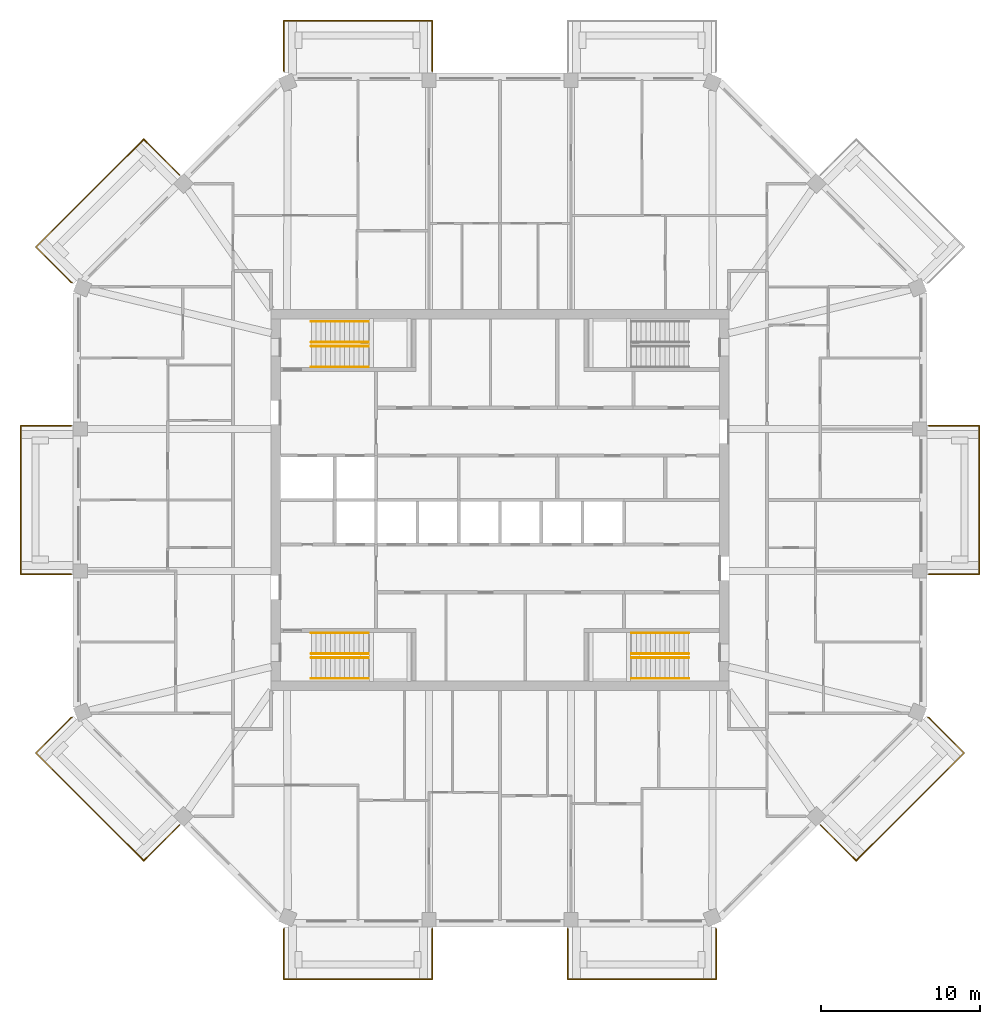
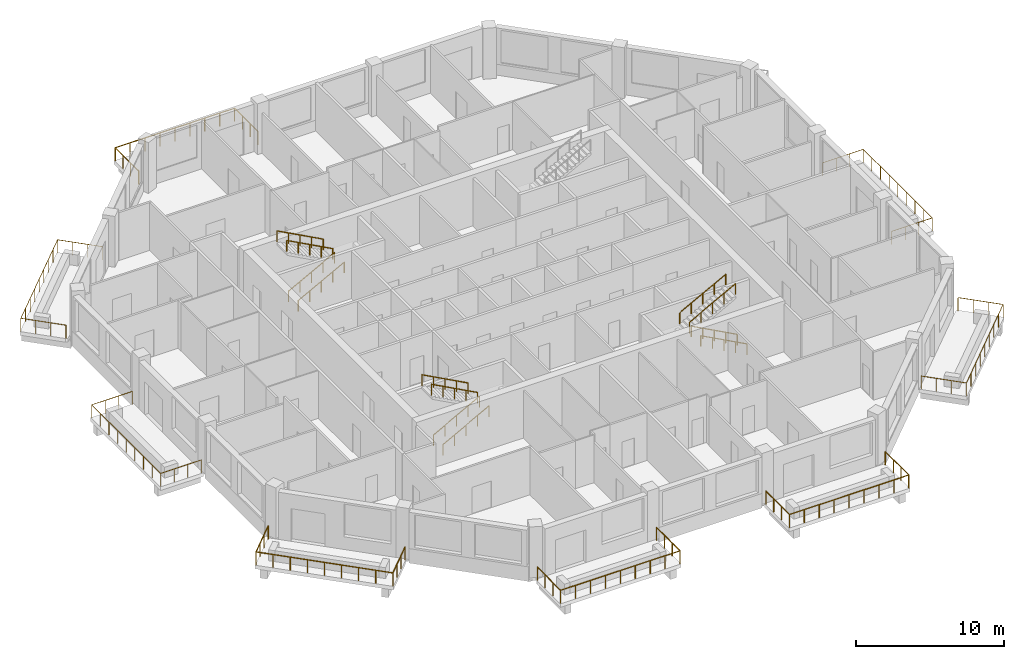
# One storey, part 11 of 12: 20 railings.
"""IFC4 building model written with IfcOpenShell, lengths in metres."""

from ifc_helpers import new_model, si_unit, direction, frame, origin, origin_2d, place, context, subcontext, project, spatial, circle, extrude, material, constituent, constituent_set, type_object, element, save


model = new_model("IFC4")

# Units and contexts
model_context = context("Model", 3, precision=1e-05, world=origin(), true_north=direction((0.0, 1.0)))
body_context = subcontext(model_context, "Body", "Model", "MODEL_VIEW")
ifc_project = project(units=[si_unit("LENGTHUNIT", "METRE"), si_unit("AREAUNIT", "SQUARE_METRE"), si_unit("VOLUMEUNIT", "CUBIC_METRE"), si_unit("PLANEANGLEUNIT", "RADIAN"), si_unit("MASSUNIT", "GRAM", prefix="KILO")], contexts=[model_context])

# Site, building, storey
site_placement = place(None, origin())
site = spatial("IfcSite", under=ifc_project, at=site_placement, CompositionType="ELEMENT")
building_placement = place(site_placement, origin())
building = spatial("IfcBuilding", under=site, at=building_placement, Name="Msitu Wima Residences", CompositionType="ELEMENT")
storey_placement = place(building_placement, frame((0.0, 0.0, 251.699951171875)))
storey = spatial("IfcBuildingStorey", under=building, at=storey_placement, Name="L58", CompositionType="ELEMENT", Elevation=251.699951171875)

# Railings
ifc_material_1 = material(Name="Steel S355", Category="steel")
ifc_constituent_1 = constituent(ifc_material_1, Name="Steel S355")
ifc_material_2 = material(Name="Weathering patina")
ifc_constituent_2 = constituent(ifc_material_2, Name="Weathering patina")
ifc_constituent_set_1 = constituent_set(constituents=[ifc_constituent_1, ifc_constituent_2], Name="Steel S355")
railing_type_1 = type_object("IfcRailingType", Name="Balcony guard GR1100", PredefinedType="GUARDRAIL", material=ifc_constituent_set_1)
railing_1_placement = place(storey_placement, frame((26.97998046875, 4.668701171875, 0.0)))
element("IfcRailing", 1, at=railing_1_placement, inside=storey, type_object=railing_type_1, Name="Balcony guard E1 L58", PredefinedType="GUARDRAIL", context=body_context, shape_type="SweptSolid", body=[
    extrude(circle(Radius=0.02392578125, at=origin_2d()), frame((0.0, 0.0, 1.076171875), z_axis=(1.0, 0.0, 0.0), x_axis=(0.0, 1.0, 0.0)), (0.0, 0.0, 1.0), 3.169921875),
    extrude(circle(Radius=0.02392578125, at=origin_2d()), frame((3.169921875, 0.0, 1.076171875), z_axis=(0.0, -1.0, 0.0), x_axis=(1.0, 0.0, 0.0)), (0.0, 0.0, 1.0), 9.33740234375),
    extrude(circle(Radius=0.02392578125, at=origin_2d()), frame((3.169921875, -9.33740234375, 1.076171875), z_axis=(-1.0, 0.0, 0.0), x_axis=(0.0, -1.0, 0.0)), (0.0, 0.0, 1.0), 3.169921875),
    extrude(circle(Radius=0.02099609375, at=origin_2d()), origin(), (0.0, 0.0, 1.0), 1.052001953125),
    extrude(circle(Radius=0.02099609375, at=origin_2d()), frame((1.056640625, 0.0, 0.0)), (0.0, 0.0, 1.0), 1.052001953125),
    extrude(circle(Radius=0.02099609375, at=origin_2d()), frame((2.11328125, 0.0, 0.0)), (0.0, 0.0, 1.0), 1.052001953125),
    extrude(circle(Radius=0.02099609375, at=origin_2d()), frame((3.169921875, 0.0, 0.0)), (0.0, 0.0, 1.0), 1.052001953125),
    extrude(circle(Radius=0.02099609375, at=origin_2d()), frame((3.169921875, -1.167236328125, 0.0)), (0.0, 0.0, 1.0), 1.052001953125),
    extrude(circle(Radius=0.02099609375, at=origin_2d()), frame((3.169921875, -2.33447265625, 0.0)), (0.0, 0.0, 1.0), 1.052001953125),
    extrude(circle(Radius=0.02099609375, at=origin_2d()), frame((3.169921875, -3.50146484375, 0.0)), (0.0, 0.0, 1.0), 1.052001953125),
    extrude(circle(Radius=0.02099609375, at=origin_2d()), frame((3.169921875, -4.668701171875, 0.0)), (0.0, 0.0, 1.0), 1.052001953125),
    extrude(circle(Radius=0.02099609375, at=origin_2d()), frame((3.169921875, -5.8359375, 0.0)), (0.0, 0.0, 1.0), 1.052001953125),
    extrude(circle(Radius=0.02099609375, at=origin_2d()), frame((3.169921875, -7.0029296875, 0.0)), (0.0, 0.0, 1.0), 1.052001953125),
    extrude(circle(Radius=0.02099609375, at=origin_2d()), frame((3.169921875, -8.170166015625, 0.0)), (0.0, 0.0, 1.0), 1.052001953125),
    extrude(circle(Radius=0.02099609375, at=origin_2d()), frame((3.169921875, -9.33740234375, 0.0)), (0.0, 0.0, 1.0), 1.052001953125),
    extrude(circle(Radius=0.02099609375, at=origin_2d()), frame((2.11328125, -9.33740234375, 0.0)), (0.0, 0.0, 1.0), 1.052001953125),
    extrude(circle(Radius=0.02099609375, at=origin_2d()), frame((1.056640625, -9.33740234375, 0.0)), (0.0, 0.0, 1.0), 1.052001953125),
    extrude(circle(Radius=0.02099609375, at=origin_2d()), frame((0.0, -9.33740234375, 0.0)), (0.0, 0.0, 1.0), 1.052001953125),
])
railing_2_placement = place(storey_placement, frame((-13.592041015625, 26.97998046875, 0.0)))
element("IfcRailing", 2, at=railing_2_placement, inside=storey, type_object=railing_type_1, Name="Balcony guard N2 L58", PredefinedType="GUARDRAIL", context=body_context, shape_type="SweptSolid", body=[
    extrude(circle(Radius=0.02392578125, at=origin_2d()), frame((0.0, 0.0, 1.076171875), z_axis=(-0.384136806859, 0.923276184907, 0.0), x_axis=(-0.923276184907, -0.384136806859, 0.0)), (0.0, 0.0, 1.0), 0.0361328125),
    extrude(circle(Radius=0.02392578125, at=origin_2d()), frame((-0.013916015625, 0.033447265625, 1.076171875), z_axis=(0.0, 1.0, 0.0), x_axis=(-1.0, 0.0, 0.0)), (0.0, 0.0, 1.0), 3.136474609375),
    extrude(circle(Radius=0.02392578125, at=origin_2d()), frame((-0.013916015625, 3.169921875, 1.076171875), z_axis=(1.0, 0.0, 0.0), x_axis=(0.0, 1.0, 0.0)), (0.0, 0.0, 1.0), 9.33740234375),
    extrude(circle(Radius=0.02392578125, at=origin_2d()), frame((9.323486328125, 3.169921875, 1.076171875), z_axis=(0.0, -1.0, 0.0), x_axis=(1.0, 0.0, 0.0)), (0.0, 0.0, 1.0), 3.169921875),
    extrude(circle(Radius=0.02099609375, at=origin_2d()), origin(), (0.0, 0.0, 1.0), 1.052001953125),
    extrude(circle(Radius=0.02099609375, at=origin_2d()), frame((-0.013916015625, 0.033447265625, 0.0)), (0.0, 0.0, 1.0), 1.052001953125),
    extrude(circle(Radius=0.02099609375, at=origin_2d()), frame((-0.013916015625, 1.078857421875, 0.0)), (0.0, 0.0, 1.0), 1.052001953125),
    extrude(circle(Radius=0.02099609375, at=origin_2d()), frame((-0.013916015625, 2.12451171875, 0.0)), (0.0, 0.0, 1.0), 1.052001953125),
    extrude(circle(Radius=0.02099609375, at=origin_2d()), frame((-0.013916015625, 3.169921875, 0.0)), (0.0, 0.0, 1.0), 1.052001953125),
    extrude(circle(Radius=0.02099609375, at=origin_2d()), frame((1.1533203125, 3.169921875, 0.0)), (0.0, 0.0, 1.0), 1.052001953125),
    extrude(circle(Radius=0.02099609375, at=origin_2d()), frame((2.3203125, 3.169921875, 0.0)), (0.0, 0.0, 1.0), 1.052001953125),
    extrude(circle(Radius=0.02099609375, at=origin_2d()), frame((3.487548828125, 3.169921875, 0.0)), (0.0, 0.0, 1.0), 1.052001953125),
    extrude(circle(Radius=0.02099609375, at=origin_2d()), frame((4.65478515625, 3.169921875, 0.0)), (0.0, 0.0, 1.0), 1.052001953125),
    extrude(circle(Radius=0.02099609375, at=origin_2d()), frame((5.822021484375, 3.169921875, 0.0)), (0.0, 0.0, 1.0), 1.052001953125),
    extrude(circle(Radius=0.02099609375, at=origin_2d()), frame((6.9892578125, 3.169921875, 0.0)), (0.0, 0.0, 1.0), 1.052001953125),
    extrude(circle(Radius=0.02099609375, at=origin_2d()), frame((8.15625, 3.169921875, 0.0)), (0.0, 0.0, 1.0), 1.052001953125),
    extrude(circle(Radius=0.02099609375, at=origin_2d()), frame((9.323486328125, 3.169921875, 0.0)), (0.0, 0.0, 1.0), 1.052001953125),
    extrude(circle(Radius=0.02099609375, at=origin_2d()), frame((9.323486328125, 2.11328125, 0.0)), (0.0, 0.0, 1.0), 1.052001953125),
    extrude(circle(Radius=0.02099609375, at=origin_2d()), frame((9.323486328125, 1.056640625, 0.0)), (0.0, 0.0, 1.0), 1.052001953125),
    extrude(circle(Radius=0.02099609375, at=origin_2d()), frame((9.323486328125, 0.0, 0.0)), (0.0, 0.0, 1.0), 1.052001953125),
])
railing_3_placement = place(storey_placement, frame((-26.941650390625, 13.684326171875, 0.0)))
element("IfcRailing", 3, at=railing_3_placement, inside=storey, type_object=railing_type_1, Name="Balcony guard NW1 L58", PredefinedType="GUARDRAIL", context=body_context, shape_type="SweptSolid", body=[
    extrude(circle(Radius=0.02392578125, at=origin_2d()), frame((0.0, 0.0, 1.076171875), z_axis=(-0.92426142649, 0.38176015442, 0.0), x_axis=(-0.38176015442, -0.92426142649, 0.0)), (0.0, 0.0, 1.0), 0.036376953125),
    extrude(circle(Radius=0.02392578125, at=origin_2d()), frame((-0.03369140625, 0.013916015625, 1.076171875), z_axis=(-0.707106781187, 0.707106781187, 0.0), x_axis=(-0.707106781187, -0.707106781187, 0.0)), (0.0, 0.0, 1.0), 3.136474609375),
    extrude(circle(Radius=0.02392578125, at=origin_2d()), frame((-2.25146484375, 2.231689453125, 1.076171875), z_axis=(0.707106781187, 0.707106781187, 0.0), x_axis=(-0.707106781187, 0.707106781187, 0.0)), (0.0, 0.0, 1.0), 9.58837890625),
    extrude(circle(Radius=0.02392578125, at=origin_2d()), frame((4.528564453125, 9.01171875, 1.076171875), z_axis=(0.707106781187, -0.707106781187, 0.0), x_axis=(0.707106781187, 0.707106781187, 0.0)), (0.0, 0.0, 1.0), 3.169921875),
    extrude(circle(Radius=0.02099609375, at=origin_2d()), origin(), (0.0, 0.0, 1.0), 1.052001953125),
    extrude(circle(Radius=0.02099609375, at=origin_2d()), frame((-0.03369140625, 0.013916015625, 0.0)), (0.0, 0.0, 1.0), 1.052001953125),
    extrude(circle(Radius=0.02099609375, at=origin_2d()), frame((-0.77294921875, 0.753173828125, 0.0)), (0.0, 0.0, 1.0), 1.052001953125),
    extrude(circle(Radius=0.02099609375, at=origin_2d()), frame((-1.51220703125, 1.492431640625, 0.0)), (0.0, 0.0, 1.0), 1.052001953125),
    extrude(circle(Radius=0.02099609375, at=origin_2d()), frame((-2.25146484375, 2.231689453125, 0.0)), (0.0, 0.0, 1.0), 1.052001953125),
    extrude(circle(Radius=0.02099609375, at=origin_2d()), frame((-1.404052734375, 3.0791015625, 0.0)), (0.0, 0.0, 1.0), 1.052001953125),
    extrude(circle(Radius=0.02099609375, at=origin_2d()), frame((-0.556396484375, 3.9267578125, 0.0)), (0.0, 0.0, 1.0), 1.052001953125),
    extrude(circle(Radius=0.02099609375, at=origin_2d()), frame((0.291015625, 4.774169921875, 0.0)), (0.0, 0.0, 1.0), 1.052001953125),
    extrude(circle(Radius=0.02099609375, at=origin_2d()), frame((1.138671875, 5.62158203125, 0.0)), (0.0, 0.0, 1.0), 1.052001953125),
    extrude(circle(Radius=0.02099609375, at=origin_2d()), frame((1.986083984375, 6.46923828125, 0.0)), (0.0, 0.0, 1.0), 1.052001953125),
    extrude(circle(Radius=0.02099609375, at=origin_2d()), frame((2.83349609375, 7.316650390625, 0.0)), (0.0, 0.0, 1.0), 1.052001953125),
    extrude(circle(Radius=0.02099609375, at=origin_2d()), frame((3.68115234375, 8.164306640625, 0.0)), (0.0, 0.0, 1.0), 1.052001953125),
    extrude(circle(Radius=0.02099609375, at=origin_2d()), frame((4.528564453125, 9.01171875, 0.0)), (0.0, 0.0, 1.0), 1.052001953125),
    extrude(circle(Radius=0.02099609375, at=origin_2d()), frame((5.275634765625, 8.2646484375, 0.0)), (0.0, 0.0, 1.0), 1.052001953125),
    extrude(circle(Radius=0.02099609375, at=origin_2d()), frame((6.02294921875, 7.517333984375, 0.0)), (0.0, 0.0, 1.0), 1.052001953125),
    extrude(circle(Radius=0.02099609375, at=origin_2d()), frame((6.77001953125, 6.770263671875, 0.0)), (0.0, 0.0, 1.0), 1.052001953125),
])
railing_4_placement = place(storey_placement, frame((-26.97998046875, -4.668701171875, 0.0)))
element("IfcRailing", 4, at=railing_4_placement, inside=storey, type_object=railing_type_1, Name="Balcony guard W1 L58", PredefinedType="GUARDRAIL", context=body_context, shape_type="SweptSolid", body=[
    extrude(circle(Radius=0.02392578125, at=origin_2d()), frame((0.0, 0.0, 1.076171875), z_axis=(-1.0, 0.0, 0.0), x_axis=(0.0, -1.0, 0.0)), (0.0, 0.0, 1.0), 3.169921875),
    extrude(circle(Radius=0.02392578125, at=origin_2d()), frame((-3.169921875, 0.0, 1.076171875), z_axis=(0.0, 1.0, 0.0), x_axis=(-1.0, 0.0, 0.0)), (0.0, 0.0, 1.0), 9.33740234375),
    extrude(circle(Radius=0.02392578125, at=origin_2d()), frame((-3.169921875, 9.33740234375, 1.076171875), z_axis=(1.0, 0.0, 0.0), x_axis=(0.0, 1.0, 0.0)), (0.0, 0.0, 1.0), 3.169921875),
    extrude(circle(Radius=0.02099609375, at=origin_2d()), origin(), (0.0, 0.0, 1.0), 1.052001953125),
    extrude(circle(Radius=0.02099609375, at=origin_2d()), frame((-1.056640625, 0.0, 0.0)), (0.0, 0.0, 1.0), 1.052001953125),
    extrude(circle(Radius=0.02099609375, at=origin_2d()), frame((-2.11328125, 0.0, 0.0)), (0.0, 0.0, 1.0), 1.052001953125),
    extrude(circle(Radius=0.02099609375, at=origin_2d()), frame((-3.169921875, 0.0, 0.0)), (0.0, 0.0, 1.0), 1.052001953125),
    extrude(circle(Radius=0.02099609375, at=origin_2d()), frame((-3.169921875, 1.167236328125, 0.0)), (0.0, 0.0, 1.0), 1.052001953125),
    extrude(circle(Radius=0.02099609375, at=origin_2d()), frame((-3.169921875, 2.33447265625, 0.0)), (0.0, 0.0, 1.0), 1.052001953125),
    extrude(circle(Radius=0.02099609375, at=origin_2d()), frame((-3.169921875, 3.50146484375, 0.0)), (0.0, 0.0, 1.0), 1.052001953125),
    extrude(circle(Radius=0.02099609375, at=origin_2d()), frame((-3.169921875, 4.668701171875, 0.0)), (0.0, 0.0, 1.0), 1.052001953125),
    extrude(circle(Radius=0.02099609375, at=origin_2d()), frame((-3.169921875, 5.8359375, 0.0)), (0.0, 0.0, 1.0), 1.052001953125),
    extrude(circle(Radius=0.02099609375, at=origin_2d()), frame((-3.169921875, 7.0029296875, 0.0)), (0.0, 0.0, 1.0), 1.052001953125),
    extrude(circle(Radius=0.02099609375, at=origin_2d()), frame((-3.169921875, 8.170166015625, 0.0)), (0.0, 0.0, 1.0), 1.052001953125),
    extrude(circle(Radius=0.02099609375, at=origin_2d()), frame((-3.169921875, 9.33740234375, 0.0)), (0.0, 0.0, 1.0), 1.052001953125),
    extrude(circle(Radius=0.02099609375, at=origin_2d()), frame((-2.11328125, 9.33740234375, 0.0)), (0.0, 0.0, 1.0), 1.052001953125),
    extrude(circle(Radius=0.02099609375, at=origin_2d()), frame((-1.056640625, 9.33740234375, 0.0)), (0.0, 0.0, 1.0), 1.052001953125),
    extrude(circle(Radius=0.02099609375, at=origin_2d()), frame((0.0, 9.33740234375, 0.0)), (0.0, 0.0, 1.0), 1.052001953125),
])
railing_5_placement = place(storey_placement, frame((-20.171630859375, -20.45458984375, 0.0)))
element("IfcRailing", 5, at=railing_5_placement, inside=storey, type_object=railing_type_1, Name="Balcony guard SW0 L58", PredefinedType="GUARDRAIL", context=body_context, shape_type="SweptSolid", body=[
    extrude(circle(Radius=0.02392578125, at=origin_2d()), frame((0.0, 0.0, 1.076171875), z_axis=(-0.707106781187, -0.707106781187, 0.0), x_axis=(0.707106781187, -0.707106781187, 0.0)), (0.0, 0.0, 1.0), 3.169921875),
    extrude(circle(Radius=0.02392578125, at=origin_2d()), frame((-2.241455078125, -2.241455078125, 1.076171875), z_axis=(-0.707106781187, 0.707106781187, 0.0), x_axis=(-0.707106781187, -0.707106781187, 0.0)), (0.0, 0.0, 1.0), 9.58837890625),
    extrude(circle(Radius=0.02392578125, at=origin_2d()), frame((-9.021484375, 4.53857421875, 1.076171875), z_axis=(0.707106781187, 0.707106781187, 0.0), x_axis=(-0.707106781187, 0.707106781187, 0.0)), (0.0, 0.0, 1.0), 3.136474609375),
    extrude(circle(Radius=0.02392578125, at=origin_2d()), frame((-6.8037109375, 6.75634765625, 1.076171875), z_axis=(0.92426142649, 0.38176015442, 0.0), x_axis=(-0.38176015442, 0.92426142649, 0.0)), (0.0, 0.0, 1.0), 0.036376953125),
    extrude(circle(Radius=0.02099609375, at=origin_2d()), origin(), (0.0, 0.0, 1.0), 1.052001953125),
    extrude(circle(Radius=0.02099609375, at=origin_2d()), frame((-0.7470703125, -0.7470703125, 0.0)), (0.0, 0.0, 1.0), 1.052001953125),
    extrude(circle(Radius=0.02099609375, at=origin_2d()), frame((-1.494384765625, -1.494384765625, 0.0)), (0.0, 0.0, 1.0), 1.052001953125),
    extrude(circle(Radius=0.02099609375, at=origin_2d()), frame((-2.241455078125, -2.241455078125, 0.0)), (0.0, 0.0, 1.0), 1.052001953125),
    extrude(circle(Radius=0.02099609375, at=origin_2d()), frame((-3.0888671875, -1.39404296875, 0.0)), (0.0, 0.0, 1.0), 1.052001953125),
    extrude(circle(Radius=0.02099609375, at=origin_2d()), frame((-3.9365234375, -0.54638671875, 0.0)), (0.0, 0.0, 1.0), 1.052001953125),
    extrude(circle(Radius=0.02099609375, at=origin_2d()), frame((-4.783935546875, 0.301025390625, 0.0)), (0.0, 0.0, 1.0), 1.052001953125),
    extrude(circle(Radius=0.02099609375, at=origin_2d()), frame((-5.63134765625, 1.1484375, 0.0)), (0.0, 0.0, 1.0), 1.052001953125),
    extrude(circle(Radius=0.02099609375, at=origin_2d()), frame((-6.47900390625, 1.99609375, 0.0)), (0.0, 0.0, 1.0), 1.052001953125),
    extrude(circle(Radius=0.02099609375, at=origin_2d()), frame((-7.326416015625, 2.843505859375, 0.0)), (0.0, 0.0, 1.0), 1.052001953125),
    extrude(circle(Radius=0.02099609375, at=origin_2d()), frame((-8.174072265625, 3.691162109375, 0.0)), (0.0, 0.0, 1.0), 1.052001953125),
    extrude(circle(Radius=0.02099609375, at=origin_2d()), frame((-9.021484375, 4.53857421875, 0.0)), (0.0, 0.0, 1.0), 1.052001953125),
    extrude(circle(Radius=0.02099609375, at=origin_2d()), frame((-8.2822265625, 5.27783203125, 0.0)), (0.0, 0.0, 1.0), 1.052001953125),
    extrude(circle(Radius=0.02099609375, at=origin_2d()), frame((-7.54296875, 6.01708984375, 0.0)), (0.0, 0.0, 1.0), 1.052001953125),
    extrude(circle(Radius=0.02099609375, at=origin_2d()), frame((-6.8037109375, 6.75634765625, 0.0)), (0.0, 0.0, 1.0), 1.052001953125),
    extrude(circle(Radius=0.02099609375, at=origin_2d()), frame((-6.77001953125, 6.770263671875, 0.0)), (0.0, 0.0, 1.0), 1.052001953125),
])
railing_6_placement = place(storey_placement, frame((-4.2685546875, -26.97998046875, 0.0)))
element("IfcRailing", 6, at=railing_6_placement, inside=storey, type_object=railing_type_1, Name="Balcony guard S0 L58", PredefinedType="GUARDRAIL", context=body_context, shape_type="SweptSolid", body=[
    extrude(circle(Radius=0.02392578125, at=origin_2d()), frame((0.0, 0.0, 1.076171875), z_axis=(0.0, -1.0, 0.0), x_axis=(1.0, 0.0, 0.0)), (0.0, 0.0, 1.0), 3.169921875),
    extrude(circle(Radius=0.02392578125, at=origin_2d()), frame((0.0, -3.169921875, 1.076171875), z_axis=(-1.0, 0.0, 0.0), x_axis=(0.0, -1.0, 0.0)), (0.0, 0.0, 1.0), 9.33740234375),
    extrude(circle(Radius=0.02392578125, at=origin_2d()), frame((-9.33740234375, -3.169921875, 1.076171875), z_axis=(0.0, 1.0, 0.0), x_axis=(-1.0, 0.0, 0.0)), (0.0, 0.0, 1.0), 3.136474609375),
    extrude(circle(Radius=0.02392578125, at=origin_2d()), frame((-9.33740234375, -0.033447265625, 1.076171875), z_axis=(0.384136806859, 0.923276184907, 0.0), x_axis=(-0.923276184907, 0.384136806859, 0.0)), (0.0, 0.0, 1.0), 0.0361328125),
    extrude(circle(Radius=0.02099609375, at=origin_2d()), origin(), (0.0, 0.0, 1.0), 1.052001953125),
    extrude(circle(Radius=0.02099609375, at=origin_2d()), frame((0.0, -1.056640625, 0.0)), (0.0, 0.0, 1.0), 1.052001953125),
    extrude(circle(Radius=0.02099609375, at=origin_2d()), frame((0.0, -2.11328125, 0.0)), (0.0, 0.0, 1.0), 1.052001953125),
    extrude(circle(Radius=0.02099609375, at=origin_2d()), frame((0.0, -3.169921875, 0.0)), (0.0, 0.0, 1.0), 1.052001953125),
    extrude(circle(Radius=0.02099609375, at=origin_2d()), frame((-1.167236328125, -3.169921875, 0.0)), (0.0, 0.0, 1.0), 1.052001953125),
    extrude(circle(Radius=0.02099609375, at=origin_2d()), frame((-2.33447265625, -3.169921875, 0.0)), (0.0, 0.0, 1.0), 1.052001953125),
    extrude(circle(Radius=0.02099609375, at=origin_2d()), frame((-3.50146484375, -3.169921875, 0.0)), (0.0, 0.0, 1.0), 1.052001953125),
    extrude(circle(Radius=0.02099609375, at=origin_2d()), frame((-4.668701171875, -3.169921875, 0.0)), (0.0, 0.0, 1.0), 1.052001953125),
    extrude(circle(Radius=0.02099609375, at=origin_2d()), frame((-5.8359375, -3.169921875, 0.0)), (0.0, 0.0, 1.0), 1.052001953125),
    extrude(circle(Radius=0.02099609375, at=origin_2d()), frame((-7.0029296875, -3.169921875, 0.0)), (0.0, 0.0, 1.0), 1.052001953125),
    extrude(circle(Radius=0.02099609375, at=origin_2d()), frame((-8.170166015625, -3.169921875, 0.0)), (0.0, 0.0, 1.0), 1.052001953125),
    extrude(circle(Radius=0.02099609375, at=origin_2d()), frame((-9.33740234375, -3.169921875, 0.0)), (0.0, 0.0, 1.0), 1.052001953125),
    extrude(circle(Radius=0.02099609375, at=origin_2d()), frame((-9.33740234375, -2.12451171875, 0.0)), (0.0, 0.0, 1.0), 1.052001953125),
    extrude(circle(Radius=0.02099609375, at=origin_2d()), frame((-9.33740234375, -1.078857421875, 0.0)), (0.0, 0.0, 1.0), 1.052001953125),
    extrude(circle(Radius=0.02099609375, at=origin_2d()), frame((-9.33740234375, -0.033447265625, 0.0)), (0.0, 0.0, 1.0), 1.052001953125),
    extrude(circle(Radius=0.02099609375, at=origin_2d()), frame((-9.323486328125, 0.0, 0.0)), (0.0, 0.0, 1.0), 1.052001953125),
])
railing_7_placement = place(storey_placement, frame((13.592041015625, -26.97998046875, 0.0)))
element("IfcRailing", 7, at=railing_7_placement, inside=storey, type_object=railing_type_1, Name="Balcony guard S2 L58", PredefinedType="GUARDRAIL", context=body_context, shape_type="SweptSolid", body=[
    extrude(circle(Radius=0.02392578125, at=origin_2d()), frame((0.0, 0.0, 1.076171875), z_axis=(0.384136806859, -0.923276184907, 0.0), x_axis=(0.923276184907, 0.384136806859, 0.0)), (0.0, 0.0, 1.0), 0.0361328125),
    extrude(circle(Radius=0.02392578125, at=origin_2d()), frame((0.013916015625, -0.033447265625, 1.076171875), z_axis=(0.0, -1.0, 0.0), x_axis=(1.0, 0.0, 0.0)), (0.0, 0.0, 1.0), 3.136474609375),
    extrude(circle(Radius=0.02392578125, at=origin_2d()), frame((0.013916015625, -3.169921875, 1.076171875), z_axis=(-1.0, 0.0, 0.0), x_axis=(0.0, -1.0, 0.0)), (0.0, 0.0, 1.0), 9.33740234375),
    extrude(circle(Radius=0.02392578125, at=origin_2d()), frame((-9.323486328125, -3.169921875, 1.076171875), z_axis=(0.0, 1.0, 0.0), x_axis=(-1.0, 0.0, 0.0)), (0.0, 0.0, 1.0), 3.169921875),
    extrude(circle(Radius=0.02099609375, at=origin_2d()), origin(), (0.0, 0.0, 1.0), 1.052001953125),
    extrude(circle(Radius=0.02099609375, at=origin_2d()), frame((0.013916015625, -0.033447265625, 0.0)), (0.0, 0.0, 1.0), 1.052001953125),
    extrude(circle(Radius=0.02099609375, at=origin_2d()), frame((0.013916015625, -1.078857421875, 0.0)), (0.0, 0.0, 1.0), 1.052001953125),
    extrude(circle(Radius=0.02099609375, at=origin_2d()), frame((0.013916015625, -2.12451171875, 0.0)), (0.0, 0.0, 1.0), 1.052001953125),
    extrude(circle(Radius=0.02099609375, at=origin_2d()), frame((0.013916015625, -3.169921875, 0.0)), (0.0, 0.0, 1.0), 1.052001953125),
    extrude(circle(Radius=0.02099609375, at=origin_2d()), frame((-1.1533203125, -3.169921875, 0.0)), (0.0, 0.0, 1.0), 1.052001953125),
    extrude(circle(Radius=0.02099609375, at=origin_2d()), frame((-2.3203125, -3.169921875, 0.0)), (0.0, 0.0, 1.0), 1.052001953125),
    extrude(circle(Radius=0.02099609375, at=origin_2d()), frame((-3.487548828125, -3.169921875, 0.0)), (0.0, 0.0, 1.0), 1.052001953125),
    extrude(circle(Radius=0.02099609375, at=origin_2d()), frame((-4.65478515625, -3.169921875, 0.0)), (0.0, 0.0, 1.0), 1.052001953125),
    extrude(circle(Radius=0.02099609375, at=origin_2d()), frame((-5.822021484375, -3.169921875, 0.0)), (0.0, 0.0, 1.0), 1.052001953125),
    extrude(circle(Radius=0.02099609375, at=origin_2d()), frame((-6.9892578125, -3.169921875, 0.0)), (0.0, 0.0, 1.0), 1.052001953125),
    extrude(circle(Radius=0.02099609375, at=origin_2d()), frame((-8.15625, -3.169921875, 0.0)), (0.0, 0.0, 1.0), 1.052001953125),
    extrude(circle(Radius=0.02099609375, at=origin_2d()), frame((-9.323486328125, -3.169921875, 0.0)), (0.0, 0.0, 1.0), 1.052001953125),
    extrude(circle(Radius=0.02099609375, at=origin_2d()), frame((-9.323486328125, -2.11328125, 0.0)), (0.0, 0.0, 1.0), 1.052001953125),
    extrude(circle(Radius=0.02099609375, at=origin_2d()), frame((-9.323486328125, -1.056640625, 0.0)), (0.0, 0.0, 1.0), 1.052001953125),
    extrude(circle(Radius=0.02099609375, at=origin_2d()), frame((-9.323486328125, 0.0, 0.0)), (0.0, 0.0, 1.0), 1.052001953125),
])
railing_8_placement = place(storey_placement, frame((26.941650390625, -13.684326171875, 0.0)))
element("IfcRailing", 8, at=railing_8_placement, inside=storey, type_object=railing_type_1, Name="Balcony guard SE1 L58", PredefinedType="GUARDRAIL", context=body_context, shape_type="SweptSolid", body=[
    extrude(circle(Radius=0.02392578125, at=origin_2d()), frame((0.0, 0.0, 1.076171875), z_axis=(0.92426142649, -0.38176015442, 0.0), x_axis=(0.38176015442, 0.92426142649, 0.0)), (0.0, 0.0, 1.0), 0.036376953125),
    extrude(circle(Radius=0.02392578125, at=origin_2d()), frame((0.03369140625, -0.013916015625, 1.076171875), z_axis=(0.707106781187, -0.707106781187, 0.0), x_axis=(0.707106781187, 0.707106781187, 0.0)), (0.0, 0.0, 1.0), 3.136474609375),
    extrude(circle(Radius=0.02392578125, at=origin_2d()), frame((2.25146484375, -2.231689453125, 1.076171875), z_axis=(-0.707106781187, -0.707106781187, 0.0), x_axis=(0.707106781187, -0.707106781187, 0.0)), (0.0, 0.0, 1.0), 9.58837890625),
    extrude(circle(Radius=0.02392578125, at=origin_2d()), frame((-4.528564453125, -9.01171875, 1.076171875), z_axis=(-0.707106781187, 0.707106781187, 0.0), x_axis=(-0.707106781187, -0.707106781187, 0.0)), (0.0, 0.0, 1.0), 3.169921875),
    extrude(circle(Radius=0.02099609375, at=origin_2d()), origin(), (0.0, 0.0, 1.0), 1.052001953125),
    extrude(circle(Radius=0.02099609375, at=origin_2d()), frame((0.03369140625, -0.013916015625, 0.0)), (0.0, 0.0, 1.0), 1.052001953125),
    extrude(circle(Radius=0.02099609375, at=origin_2d()), frame((0.77294921875, -0.753173828125, 0.0)), (0.0, 0.0, 1.0), 1.052001953125),
    extrude(circle(Radius=0.02099609375, at=origin_2d()), frame((1.51220703125, -1.492431640625, 0.0)), (0.0, 0.0, 1.0), 1.052001953125),
    extrude(circle(Radius=0.02099609375, at=origin_2d()), frame((2.25146484375, -2.231689453125, 0.0)), (0.0, 0.0, 1.0), 1.052001953125),
    extrude(circle(Radius=0.02099609375, at=origin_2d()), frame((1.404052734375, -3.0791015625, 0.0)), (0.0, 0.0, 1.0), 1.052001953125),
    extrude(circle(Radius=0.02099609375, at=origin_2d()), frame((0.556396484375, -3.9267578125, 0.0)), (0.0, 0.0, 1.0), 1.052001953125),
    extrude(circle(Radius=0.02099609375, at=origin_2d()), frame((-0.291015625, -4.774169921875, 0.0)), (0.0, 0.0, 1.0), 1.052001953125),
    extrude(circle(Radius=0.02099609375, at=origin_2d()), frame((-1.138671875, -5.62158203125, 0.0)), (0.0, 0.0, 1.0), 1.052001953125),
    extrude(circle(Radius=0.02099609375, at=origin_2d()), frame((-1.986083984375, -6.46923828125, 0.0)), (0.0, 0.0, 1.0), 1.052001953125),
    extrude(circle(Radius=0.02099609375, at=origin_2d()), frame((-2.83349609375, -7.316650390625, 0.0)), (0.0, 0.0, 1.0), 1.052001953125),
    extrude(circle(Radius=0.02099609375, at=origin_2d()), frame((-3.68115234375, -8.164306640625, 0.0)), (0.0, 0.0, 1.0), 1.052001953125),
    extrude(circle(Radius=0.02099609375, at=origin_2d()), frame((-4.528564453125, -9.01171875, 0.0)), (0.0, 0.0, 1.0), 1.052001953125),
    extrude(circle(Radius=0.02099609375, at=origin_2d()), frame((-5.275634765625, -8.2646484375, 0.0)), (0.0, 0.0, 1.0), 1.052001953125),
    extrude(circle(Radius=0.02099609375, at=origin_2d()), frame((-6.02294921875, -7.517333984375, 0.0)), (0.0, 0.0, 1.0), 1.052001953125),
    extrude(circle(Radius=0.02099609375, at=origin_2d()), frame((-6.77001953125, -6.770263671875, 0.0)), (0.0, 0.0, 1.0), 1.052001953125),
])
ifc_constituent_3 = constituent(ifc_material_1, Name="Steel S355")
ifc_material_3 = material(Name="Black powder coating")
ifc_constituent_4 = constituent(ifc_material_3, Name="Black powder coating")
ifc_constituent_set_2 = constituent_set(constituents=[ifc_constituent_3, ifc_constituent_4], Name="Steel S355")
railing_type_2 = type_object("IfcRailingType", Name="Stair handrail HR1", PredefinedType="HANDRAIL", material=ifc_constituent_set_2)
for number, where, name in (
    (9, (-11.875, 8.375, 0.16162109375), "Stair 1 handrail"),
    (10, (-11.875, 9.675048828125, 0.16162109375), "Stair 1 handrail"),
):
    element("IfcRailing", number, at=place(storey_placement, frame(where)), inside=storey, type_object=railing_type_2, Name=name, PredefinedType="HANDRAIL", context=body_context, shape_type="SweptSolid", body=[
        extrude(circle(Radius=0.02392578125, at=origin_2d()), frame((0.0, 0.0, 0.8759765625), z_axis=(0.880474934443, 0.0, 0.474092701714), x_axis=(0.0, 1.0, 0.0)), (0.0, 0.0, 1.0), 4.0888671875),
        extrude(circle(Radius=0.02099609375, at=origin_2d()), origin(), (0.0, 0.0, 1.0), 0.851806640625),
        extrude(circle(Radius=0.02099609375, at=origin_2d()), frame((0.89990234375, 0.0, 0.484619140625)), (0.0, 0.0, 1.0), 0.851806640625),
        extrude(circle(Radius=0.02099609375, at=origin_2d()), frame((1.800048828125, 0.0, 0.96923828125)), (0.0, 0.0, 1.0), 0.851806640625),
        extrude(circle(Radius=0.02099609375, at=origin_2d()), frame((2.7001953125, 0.0, 1.453857421875)), (0.0, 0.0, 1.0), 0.851806640625),
        extrude(circle(Radius=0.02099609375, at=origin_2d()), frame((3.60009765625, 0.0, 1.9384765625)), (0.0, 0.0, 1.0), 0.851806640625),
    ])
for number, where, name in (
    (11, (-8.27490234375, 9.925048828125, 2.261474609375), "Stair 1 handrail"),
    (12, (-8.27490234375, 11.22509765625, 2.261474609375), "Stair 1 handrail"),
):
    element("IfcRailing", number, at=place(storey_placement, frame(where)), inside=storey, type_object=railing_type_2, Name=name, PredefinedType="HANDRAIL", context=body_context, shape_type="SweptSolid", body=[
        extrude(circle(Radius=0.02392578125, at=origin_2d()), frame((0.0, 0.0, 0.8759765625), z_axis=(-0.880474934443, 0.0, 0.474092701714), x_axis=(0.0, -1.0, 0.0)), (0.0, 0.0, 1.0), 4.0888671875),
        extrude(circle(Radius=0.02099609375, at=origin_2d()), origin(), (0.0, 0.0, 1.0), 0.851806640625),
        extrude(circle(Radius=0.02099609375, at=origin_2d()), frame((-0.89990234375, 0.0, 0.484619140625)), (0.0, 0.0, 1.0), 0.851806640625),
        extrude(circle(Radius=0.02099609375, at=origin_2d()), frame((-1.800048828125, 0.0, 0.96923828125)), (0.0, 0.0, 1.0), 0.851806640625),
        extrude(circle(Radius=0.02099609375, at=origin_2d()), frame((-2.7001953125, 0.0, 1.453857421875)), (0.0, 0.0, 1.0), 0.851806640625),
        extrude(circle(Radius=0.02099609375, at=origin_2d()), frame((-3.60009765625, 0.0, 1.9384765625)), (0.0, 0.0, 1.0), 0.851806640625),
    ])
for number, where, name in (
    (13, (-11.875, -11.22509765625, 0.16162109375), "Stair 2 handrail"),
    (14, (-11.875, -9.925048828125, 0.16162109375), "Stair 2 handrail"),
):
    element("IfcRailing", number, at=place(storey_placement, frame(where)), inside=storey, type_object=railing_type_2, Name=name, PredefinedType="HANDRAIL", context=body_context, shape_type="SweptSolid", body=[
        extrude(circle(Radius=0.02392578125, at=origin_2d()), frame((0.0, 0.0, 0.8759765625), z_axis=(0.880474934443, 0.0, 0.474092701714), x_axis=(0.0, 1.0, 0.0)), (0.0, 0.0, 1.0), 4.0888671875),
        extrude(circle(Radius=0.02099609375, at=origin_2d()), origin(), (0.0, 0.0, 1.0), 0.851806640625),
        extrude(circle(Radius=0.02099609375, at=origin_2d()), frame((0.89990234375, 0.0, 0.484619140625)), (0.0, 0.0, 1.0), 0.851806640625),
        extrude(circle(Radius=0.02099609375, at=origin_2d()), frame((1.800048828125, 0.0, 0.96923828125)), (0.0, 0.0, 1.0), 0.851806640625),
        extrude(circle(Radius=0.02099609375, at=origin_2d()), frame((2.7001953125, 0.0, 1.453857421875)), (0.0, 0.0, 1.0), 0.851806640625),
        extrude(circle(Radius=0.02099609375, at=origin_2d()), frame((3.60009765625, 0.0, 1.9384765625)), (0.0, 0.0, 1.0), 0.851806640625),
    ])
for number, where, name in (
    (15, (-8.27490234375, -9.675048828125, 2.261474609375), "Stair 2 handrail"),
    (16, (-8.27490234375, -8.375, 2.261474609375), "Stair 2 handrail"),
    (17, (11.875, -11.22509765625, 0.16162109375), "Stair 4 handrail"),
    (18, (11.875, -9.925048828125, 0.16162109375), "Stair 4 handrail"),
):
    element("IfcRailing", number, at=place(storey_placement, frame(where)), inside=storey, type_object=railing_type_2, Name=name, PredefinedType="HANDRAIL", context=body_context, shape_type="SweptSolid", body=[
        extrude(circle(Radius=0.02392578125, at=origin_2d()), frame((0.0, 0.0, 0.8759765625), z_axis=(-0.880474934443, 0.0, 0.474092701714), x_axis=(0.0, -1.0, 0.0)), (0.0, 0.0, 1.0), 4.0888671875),
        extrude(circle(Radius=0.02099609375, at=origin_2d()), origin(), (0.0, 0.0, 1.0), 0.851806640625),
        extrude(circle(Radius=0.02099609375, at=origin_2d()), frame((-0.89990234375, 0.0, 0.484619140625)), (0.0, 0.0, 1.0), 0.851806640625),
        extrude(circle(Radius=0.02099609375, at=origin_2d()), frame((-1.800048828125, 0.0, 0.96923828125)), (0.0, 0.0, 1.0), 0.851806640625),
        extrude(circle(Radius=0.02099609375, at=origin_2d()), frame((-2.7001953125, 0.0, 1.453857421875)), (0.0, 0.0, 1.0), 0.851806640625),
        extrude(circle(Radius=0.02099609375, at=origin_2d()), frame((-3.60009765625, 0.0, 1.9384765625)), (0.0, 0.0, 1.0), 0.851806640625),
    ])
for number, where, name in (
    (19, (8.27490234375, -9.675048828125, 2.261474609375), "Stair 4 handrail"),
    (20, (8.27490234375, -8.375, 2.261474609375), "Stair 4 handrail"),
):
    element("IfcRailing", number, at=place(storey_placement, frame(where)), inside=storey, type_object=railing_type_2, Name=name, PredefinedType="HANDRAIL", context=body_context, shape_type="SweptSolid", body=[
        extrude(circle(Radius=0.02392578125, at=origin_2d()), frame((0.0, 0.0, 0.8759765625), z_axis=(0.880474934443, 0.0, 0.474092701714), x_axis=(0.0, 1.0, 0.0)), (0.0, 0.0, 1.0), 4.0888671875),
        extrude(circle(Radius=0.02099609375, at=origin_2d()), origin(), (0.0, 0.0, 1.0), 0.851806640625),
        extrude(circle(Radius=0.02099609375, at=origin_2d()), frame((0.89990234375, 0.0, 0.484619140625)), (0.0, 0.0, 1.0), 0.851806640625),
        extrude(circle(Radius=0.02099609375, at=origin_2d()), frame((1.800048828125, 0.0, 0.96923828125)), (0.0, 0.0, 1.0), 0.851806640625),
        extrude(circle(Radius=0.02099609375, at=origin_2d()), frame((2.7001953125, 0.0, 1.453857421875)), (0.0, 0.0, 1.0), 0.851806640625),
        extrude(circle(Radius=0.02099609375, at=origin_2d()), frame((3.60009765625, 0.0, 1.9384765625)), (0.0, 0.0, 1.0), 0.851806640625),
    ])

save(model, "model.ifc")
